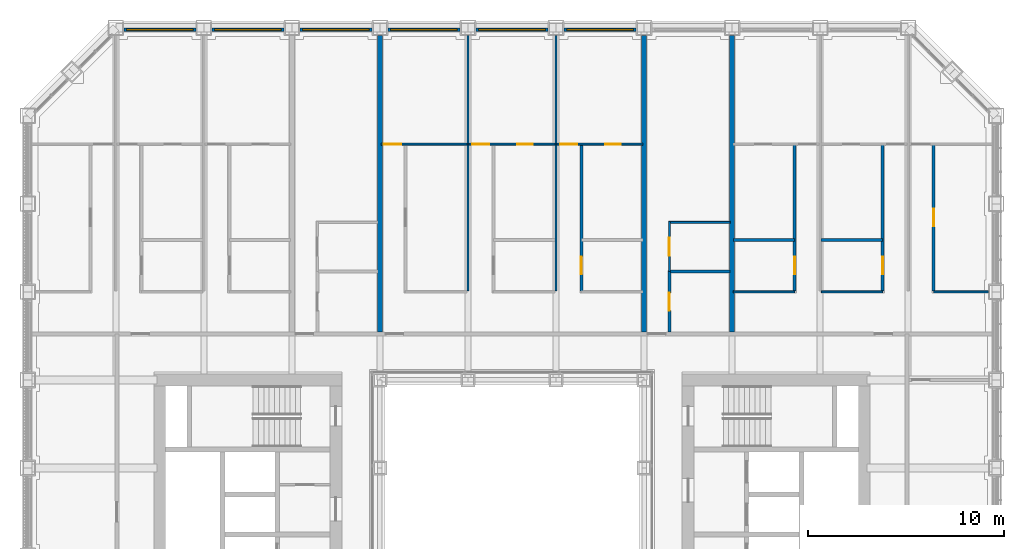
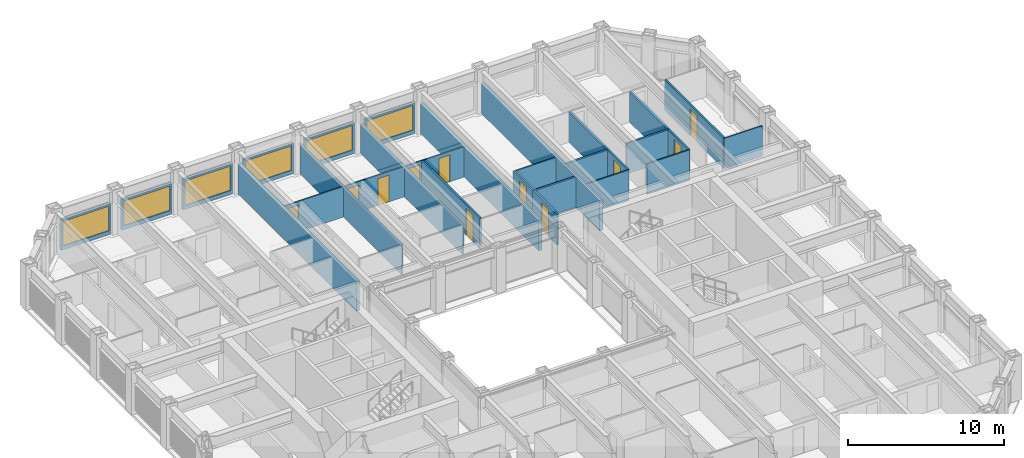
# One storey, part 14 of 20: 27 walls, 11 doors, 6 windows, 17 openings.
"""IFC4 building model written with IfcOpenShell, lengths in metres."""

from ifc_helpers import new_model, si_unit, direction, frame, frame_2d, origin, place, context, subcontext, project, spatial, rectangle, extrude, material, layer, layer_set, type_object, element, fill, save


model = new_model("IFC4")

# Units and contexts
model_context = context("Model", 3, precision=1e-05, world=origin(), true_north=direction((0.0, 1.0)))
body_context = subcontext(model_context, "Body", "Model", "MODEL_VIEW")
ifc_project = project(units=[si_unit("LENGTHUNIT", "METRE"), si_unit("AREAUNIT", "SQUARE_METRE"), si_unit("VOLUMEUNIT", "CUBIC_METRE"), si_unit("PLANEANGLEUNIT", "RADIAN"), si_unit("MASSUNIT", "GRAM", prefix="KILO")], contexts=[model_context])

# Site, building, storey
site_placement = place(None, origin())
site = spatial("IfcSite", under=ifc_project, at=site_placement, CompositionType="ELEMENT")
building_placement = place(site_placement, origin())
building = spatial("IfcBuilding", under=site, at=building_placement, Name="Msasa Ring Tower", CompositionType="ELEMENT")
storey_placement = place(building_placement, frame((0.0, 0.0, 65.0)))
storey = spatial("IfcBuildingStorey", under=building, at=storey_placement, Name="L16", CompositionType="ELEMENT", Elevation=65.0)

# Wall, opening, window
ifc_material_1 = material(Name="Terracotta rainscreen on blockwork", Category="masonry")
ifc_layer_1 = layer(ifc_material_1, 0.199951171875)
ifc_layer_set_1 = layer_set([ifc_layer_1], Name="FW1 TERRACOTTA-LINED INFILL BAY WALL 200")
wall_type_1 = type_object("IfcWallType", Name="FW1 TERRACOTTA-LINED INFILL BAY WALL 200", PredefinedType="SOLIDWALL", material=ifc_layer_set_1)
wall_1_placement = place(storey_placement, frame((-19.844970703125, 24.64990234375, 0.0), z_axis=(0.0, 0.0, 1.0), x_axis=(1.0, 0.0, 0.0)))
wall_1 = element("IfcWall", 1, at=wall_1_placement, inside=storey, type_object=wall_type_1, Name="Infill bay wall N L16 22", PredefinedType="SOLIDWALL", context=body_context, shape_type="SweptSolid", body=[
    extrude(rectangle(XDim=3.68994140625, YDim=0.199951171875, at=frame_2d((1.844970703125, 0.0))), origin(), (0.0, 0.0, 1.0), 2.37890625),
])
opening_1_placement = place(wall_1_placement, frame((0.14501953125, 0.0, 0.300048828125)))
opening_1 = element("IfcOpeningElement", 2, at=opening_1_placement, cuts=wall_1, Name="Opening WN1", PredefinedType="OPENING", context=body_context, shape_type="SweptSolid", body=[
    extrude(rectangle(XDim=3.39990234375, YDim=1.928955078125, at=frame_2d((1.699951171875, 0.96435546875))), frame((0.0, 0.10986328125, 0.0), z_axis=(0.0, -1.0, 0.0), x_axis=(1.0, 0.0, 0.0)), (0.0, 0.0, 1.0), 0.219970703125),
])
ifc_material_2 = material(Name="Aluminium frame with clear glass", Category="aluminium")
window_type = type_object("IfcWindowType", Name="WN1 RESIDENCE WINDOW 3400x1929", PartitioningType="SINGLE_PANEL", PredefinedType="WINDOW", material=ifc_material_2)
window_1_placement = place(opening_1_placement, origin())
window_1 = element("IfcWindow", 3, at=window_1_placement, inside=storey, type_object=window_type, Name="Window N L16 22", OverallHeight=1.928955078125, OverallWidth=3.39990234375, PartitioningType="SINGLE_PANEL", PredefinedType="WINDOW", context=body_context, shape_type="SweptSolid", body=[
    extrude(rectangle(XDim=3.39990234375, YDim=1.928955078125, at=frame_2d((1.699951171875, 0.96435546875))), frame((0.0, 0.030029296875, 0.0), z_axis=(0.0, -1.0, 0.0), x_axis=(1.0, 0.0, 0.0)), (0.0, 0.0, 1.0), 0.06005859375),
])
fill(opening_1, window_1)

wall_2_placement = place(storey_placement, frame((-15.344970703125, 24.64990234375, 0.0), z_axis=(0.0, 0.0, 1.0), x_axis=(1.0, 0.0, 0.0)))
wall_2 = element("IfcWall", 4, at=wall_2_placement, inside=storey, type_object=wall_type_1, Name="Infill bay wall N L16 23", PredefinedType="SOLIDWALL", context=body_context, shape_type="SweptSolid", body=[
    extrude(rectangle(XDim=3.68994140625, YDim=0.199951171875, at=frame_2d((1.844970703125, 0.0))), origin(), (0.0, 0.0, 1.0), 2.37890625),
])
opening_2_placement = place(wall_2_placement, frame((0.14501953125, 0.0, 0.300048828125)))
opening_2 = element("IfcOpeningElement", 5, at=opening_2_placement, cuts=wall_2, Name="Opening WN1", PredefinedType="OPENING", context=body_context, shape_type="SweptSolid", body=[
    extrude(rectangle(XDim=3.39990234375, YDim=1.928955078125, at=frame_2d((1.699951171875, 0.96435546875))), frame((0.0, 0.10986328125, 0.0), z_axis=(0.0, -1.0, 0.0), x_axis=(1.0, 0.0, 0.0)), (0.0, 0.0, 1.0), 0.219970703125),
])
window_2_placement = place(opening_2_placement, origin())
window_2 = element("IfcWindow", 6, at=window_2_placement, inside=storey, type_object=window_type, Name="Window N L16 23", OverallHeight=1.928955078125, OverallWidth=3.39990234375, PartitioningType="SINGLE_PANEL", PredefinedType="WINDOW", context=body_context, shape_type="SweptSolid", body=[
    extrude(rectangle(XDim=3.39990234375, YDim=1.928955078125, at=frame_2d((1.699951171875, 0.96435546875))), frame((0.0, 0.030029296875, 0.0), z_axis=(0.0, -1.0, 0.0), x_axis=(1.0, 0.0, 0.0)), (0.0, 0.0, 1.0), 0.06005859375),
])
fill(opening_2, window_2)

wall_3_placement = place(storey_placement, frame((-10.844970703125, 24.64990234375, 0.0), z_axis=(0.0, 0.0, 1.0), x_axis=(1.0, 0.0, 0.0)))
wall_3 = element("IfcWall", 7, at=wall_3_placement, inside=storey, type_object=wall_type_1, Name="Infill bay wall N L16 24", PredefinedType="SOLIDWALL", context=body_context, shape_type="SweptSolid", body=[
    extrude(rectangle(XDim=3.68994140625, YDim=0.199951171875, at=frame_2d((1.844970703125, 0.0))), origin(), (0.0, 0.0, 1.0), 2.37890625),
])
opening_3_placement = place(wall_3_placement, frame((0.14501953125, 0.0, 0.300048828125)))
opening_3 = element("IfcOpeningElement", 8, at=opening_3_placement, cuts=wall_3, Name="Opening WN1", PredefinedType="OPENING", context=body_context, shape_type="SweptSolid", body=[
    extrude(rectangle(XDim=3.39990234375, YDim=1.928955078125, at=frame_2d((1.699951171875, 0.96435546875))), frame((0.0, 0.10986328125, 0.0), z_axis=(0.0, -1.0, 0.0), x_axis=(1.0, 0.0, 0.0)), (0.0, 0.0, 1.0), 0.219970703125),
])
window_3_placement = place(opening_3_placement, origin())
window_3 = element("IfcWindow", 9, at=window_3_placement, inside=storey, type_object=window_type, Name="Window N L16 24", OverallHeight=1.928955078125, OverallWidth=3.39990234375, PartitioningType="SINGLE_PANEL", PredefinedType="WINDOW", context=body_context, shape_type="SweptSolid", body=[
    extrude(rectangle(XDim=3.39990234375, YDim=1.928955078125, at=frame_2d((1.699951171875, 0.96435546875))), frame((0.0, 0.030029296875, 0.0), z_axis=(0.0, -1.0, 0.0), x_axis=(1.0, 0.0, 0.0)), (0.0, 0.0, 1.0), 0.06005859375),
])
fill(opening_3, window_3)

wall_4_placement = place(storey_placement, frame((-6.344970703125, 24.64990234375, 0.0), z_axis=(0.0, 0.0, 1.0), x_axis=(1.0, 0.0, 0.0)))
wall_4 = element("IfcWall", 10, at=wall_4_placement, inside=storey, type_object=wall_type_1, Name="Infill bay wall N L16 25", PredefinedType="SOLIDWALL", context=body_context, shape_type="SweptSolid", body=[
    extrude(rectangle(XDim=3.68994140625, YDim=0.199951171875, at=frame_2d((1.844970703125, 0.0))), origin(), (0.0, 0.0, 1.0), 2.37890625),
])
opening_4_placement = place(wall_4_placement, frame((0.14501953125, 0.0, 0.300048828125)))
opening_4 = element("IfcOpeningElement", 11, at=opening_4_placement, cuts=wall_4, Name="Opening WN1", PredefinedType="OPENING", context=body_context, shape_type="SweptSolid", body=[
    extrude(rectangle(XDim=3.39990234375, YDim=1.928955078125, at=frame_2d((1.699951171875, 0.96435546875))), frame((0.0, 0.10986328125, 0.0), z_axis=(0.0, -1.0, 0.0), x_axis=(1.0, 0.0, 0.0)), (0.0, 0.0, 1.0), 0.219970703125),
])
window_4_placement = place(opening_4_placement, origin())
window_4 = element("IfcWindow", 12, at=window_4_placement, inside=storey, type_object=window_type, Name="Window N L16 25", OverallHeight=1.928955078125, OverallWidth=3.39990234375, PartitioningType="SINGLE_PANEL", PredefinedType="WINDOW", context=body_context, shape_type="SweptSolid", body=[
    extrude(rectangle(XDim=3.39990234375, YDim=1.928955078125, at=frame_2d((1.699951171875, 0.96435546875))), frame((0.0, 0.030029296875, 0.0), z_axis=(0.0, -1.0, 0.0), x_axis=(1.0, 0.0, 0.0)), (0.0, 0.0, 1.0), 0.06005859375),
])
fill(opening_4, window_4)

wall_5_placement = place(storey_placement, frame((-1.844970703125, 24.64990234375, 0.0), z_axis=(0.0, 0.0, 1.0), x_axis=(1.0, 0.0, 0.0)))
wall_5 = element("IfcWall", 13, at=wall_5_placement, inside=storey, type_object=wall_type_1, Name="Infill bay wall N L16 26", PredefinedType="SOLIDWALL", context=body_context, shape_type="SweptSolid", body=[
    extrude(rectangle(XDim=3.68994140625, YDim=0.199951171875, at=frame_2d((1.844970703125, 0.0))), origin(), (0.0, 0.0, 1.0), 2.37890625),
])
opening_5_placement = place(wall_5_placement, frame((0.14501953125, 0.0, 0.300048828125)))
opening_5 = element("IfcOpeningElement", 14, at=opening_5_placement, cuts=wall_5, Name="Opening WN1", PredefinedType="OPENING", context=body_context, shape_type="SweptSolid", body=[
    extrude(rectangle(XDim=3.39990234375, YDim=1.928955078125, at=frame_2d((1.699951171875, 0.96435546875))), frame((0.0, 0.10986328125, 0.0), z_axis=(0.0, -1.0, 0.0), x_axis=(1.0, 0.0, 0.0)), (0.0, 0.0, 1.0), 0.219970703125),
])
window_5_placement = place(opening_5_placement, origin())
window_5 = element("IfcWindow", 15, at=window_5_placement, inside=storey, type_object=window_type, Name="Window N L16 26", OverallHeight=1.928955078125, OverallWidth=3.39990234375, PartitioningType="SINGLE_PANEL", PredefinedType="WINDOW", context=body_context, shape_type="SweptSolid", body=[
    extrude(rectangle(XDim=3.39990234375, YDim=1.928955078125, at=frame_2d((1.699951171875, 0.96435546875))), frame((0.0, 0.030029296875, 0.0), z_axis=(0.0, -1.0, 0.0), x_axis=(1.0, 0.0, 0.0)), (0.0, 0.0, 1.0), 0.06005859375),
])
fill(opening_5, window_5)

wall_6_placement = place(storey_placement, frame((2.655029296875, 24.64990234375, 0.0), z_axis=(0.0, 0.0, 1.0), x_axis=(1.0, 0.0, 0.0)))
wall_6 = element("IfcWall", 16, at=wall_6_placement, inside=storey, type_object=wall_type_1, Name="Infill bay wall N L16 27", PredefinedType="SOLIDWALL", context=body_context, shape_type="SweptSolid", body=[
    extrude(rectangle(XDim=3.68994140625, YDim=0.199951171875, at=frame_2d((1.844970703125, 0.0))), origin(), (0.0, 0.0, 1.0), 2.37890625),
])
opening_6_placement = place(wall_6_placement, frame((0.14501953125, 0.0, 0.300048828125)))
opening_6 = element("IfcOpeningElement", 17, at=opening_6_placement, cuts=wall_6, Name="Opening WN1", PredefinedType="OPENING", context=body_context, shape_type="SweptSolid", body=[
    extrude(rectangle(XDim=3.39990234375, YDim=1.928955078125, at=frame_2d((1.699951171875, 0.96435546875))), frame((0.0, 0.10986328125, 0.0), z_axis=(0.0, -1.0, 0.0), x_axis=(1.0, 0.0, 0.0)), (0.0, 0.0, 1.0), 0.219970703125),
])
window_6_placement = place(opening_6_placement, origin())
window_6 = element("IfcWindow", 18, at=window_6_placement, inside=storey, type_object=window_type, Name="Window N L16 27", OverallHeight=1.928955078125, OverallWidth=3.39990234375, PartitioningType="SINGLE_PANEL", PredefinedType="WINDOW", context=body_context, shape_type="SweptSolid", body=[
    extrude(rectangle(XDim=3.39990234375, YDim=1.928955078125, at=frame_2d((1.699951171875, 0.96435546875))), frame((0.0, 0.030029296875, 0.0), z_axis=(0.0, -1.0, 0.0), x_axis=(1.0, 0.0, 0.0)), (0.0, 0.0, 1.0), 0.06005859375),
])
fill(opening_6, window_6)

# Wall, opening, door
ifc_material_3 = material(Name="Gypsum board on steel studs", Category="steel")
ifc_layer_2 = layer(ifc_material_3, 0.10009765625)
ifc_layer_set_2 = layer_set([ifc_layer_2], Name="PT2 STUD PARTITION 100")
wall_type_2 = type_object("IfcWallType", Name="PT2 STUD PARTITION 100", PredefinedType="PARTITIONING", material=ifc_layer_set_2)
wall_7_placement = place(storey_placement, frame((-6.68994140625, 18.800048828125, 0.0), z_axis=(0.0, 0.0, 1.0), x_axis=(1.0, 0.0, 0.0)))
wall_7 = element("IfcWall", 19, at=wall_7_placement, inside=storey, type_object=wall_type_2, Name="Partition L16-UN02SY0", PredefinedType="PARTITIONING", context=body_context, shape_type="SweptSolid", body=[
    extrude(rectangle(XDim=4.389892578125, YDim=0.10009765625, at=frame_2d((2.19482421875, 0.0))), origin(), (0.0, 0.0, 1.0), 2.373291015625),
])
opening_7_placement = place(wall_7_placement, frame((0.139892578125, 0.0, 0.0)))
opening_7 = element("IfcOpeningElement", 20, at=opening_7_placement, cuts=wall_7, Name="Opening RD-006", PredefinedType="OPENING", context=body_context, shape_type="SweptSolid", body=[
    extrude(rectangle(XDim=0.89990234375, YDim=2.10009765625, at=frame_2d((0.449951171875, 1.050048828125))), frame((0.0, 0.06005859375, 0.0), z_axis=(0.0, -1.0, 0.0), x_axis=(1.0, 0.0, 0.0)), (0.0, 0.0, 1.0), 0.1201171875),
])
ifc_material_4 = material(Name="Timber door leaf in a steel frame", Category="steel")
door_type_1 = type_object("IfcDoorType", Name="D22 INTERNAL HALL DOOR 900x2100", OperationType="SINGLE_SWING_LEFT", PredefinedType="DOOR", material=ifc_material_4)
door_1_placement = place(opening_7_placement, origin())
door_1 = element("IfcDoor", 21, at=door_1_placement, inside=storey, type_object=door_type_1, Name="Door L16-UN02L", OperationType="SINGLE_SWING_LEFT", OverallHeight=2.10009765625, OverallWidth=0.89990234375, PredefinedType="DOOR", context=body_context, shape_type="SweptSolid", body=[
    extrude(rectangle(XDim=0.89990234375, YDim=2.10009765625, at=frame_2d((0.449951171875, 1.050048828125))), frame((0.0, 0.02490234375, 0.0), z_axis=(0.0, -1.0, 0.0), x_axis=(1.0, 0.0, 0.0)), (0.0, 0.0, 1.0), 0.050048828125),
])
fill(opening_7, door_1)

# Wall
wall_8_placement = place(storey_placement, frame((-2.25, 11.300048828125, 0.0), z_axis=(0.0, 0.0, 1.0), x_axis=(0.0, 1.0, 0.0)))
element("IfcWall", 22, at=wall_8_placement, inside=storey, type_object=wall_type_2, Name="Partition L16-UN02P1", PredefinedType="PARTITIONING", context=body_context, shape_type="SweptSolid", body=[
    extrude(rectangle(XDim=13.050048828125, YDim=0.10009765625, at=frame_2d((6.52490234375, 0.0))), origin(), (0.0, 0.0, 1.0), 2.373291015625),
])

# Wall, openings, doors
wall_9_placement = place(storey_placement, frame((-2.199951171875, 18.800048828125, 0.0), z_axis=(0.0, 0.0, 1.0), x_axis=(1.0, 0.0, 0.0)))
wall_9 = element("IfcWall", 23, at=wall_9_placement, inside=storey, type_object=wall_type_2, Name="Partition L16-UN02SY1", PredefinedType="PARTITIONING", context=body_context, shape_type="SweptSolid", body=[
    extrude(rectangle(XDim=4.39990234375, YDim=0.10009765625, at=frame_2d((2.199951171875, 0.0))), origin(), (0.0, 0.0, 1.0), 2.373291015625),
])
opening_8_placement = place(wall_9_placement, frame((0.175048828125, 0.0, 0.0)))
opening_8 = element("IfcOpeningElement", 24, at=opening_8_placement, cuts=wall_9, Name="Opening RD-007", PredefinedType="OPENING", context=body_context, shape_type="SweptSolid", body=[
    extrude(rectangle(XDim=0.85009765625, YDim=2.10009765625, at=frame_2d((0.425048828125, 1.050048828125))), frame((0.0, 0.06005859375, 0.0), z_axis=(0.0, -1.0, 0.0), x_axis=(1.0, 0.0, 0.0)), (0.0, 0.0, 1.0), 0.1201171875),
])
opening_9_placement = place(wall_9_placement, frame((2.4599609375, 0.0, 0.0)))
opening_9 = element("IfcOpeningElement", 25, at=opening_9_placement, cuts=wall_9, Name="Opening RD-008", PredefinedType="OPENING", context=body_context, shape_type="SweptSolid", body=[
    extrude(rectangle(XDim=0.800048828125, YDim=2.10009765625, at=frame_2d((0.39990234375, 1.050048828125))), frame((0.0, 0.06005859375, 0.0), z_axis=(0.0, -1.0, 0.0), x_axis=(1.0, 0.0, 0.0)), (0.0, 0.0, 1.0), 0.1201171875),
])
ifc_material_5 = material(Name="Timber door leaf in a steel frame", Category="steel")
door_type_2 = type_object("IfcDoorType", Name="D14 BEDROOM DOOR 850x2100", OperationType="SINGLE_SWING_LEFT", PredefinedType="DOOR", material=ifc_material_5)
door_2_placement = place(opening_8_placement, origin())
door_2 = element("IfcDoor", 26, at=door_2_placement, inside=storey, type_object=door_type_2, Name="Door L16-UN02R1", OperationType="SINGLE_SWING_LEFT", OverallHeight=2.10009765625, OverallWidth=0.85009765625, PredefinedType="DOOR", context=body_context, shape_type="SweptSolid", body=[
    extrude(rectangle(XDim=0.85009765625, YDim=2.10009765625, at=frame_2d((0.425048828125, 1.050048828125))), frame((0.0, 0.02490234375, 0.0), z_axis=(0.0, -1.0, 0.0), x_axis=(1.0, 0.0, 0.0)), (0.0, 0.0, 1.0), 0.050048828125),
])
fill(opening_8, door_2)
ifc_material_6 = material(Name="Timber door leaf in a steel frame", Category="steel")
door_type_3 = type_object("IfcDoorType", Name="D60 DRESSING ROOM DOOR 800x2100", OperationType="SINGLE_SWING_LEFT", PredefinedType="DOOR", material=ifc_material_6)
door_3_placement = place(opening_9_placement, origin())
door_3 = element("IfcDoor", 27, at=door_3_placement, inside=storey, type_object=door_type_3, Name="Door L16-UN02W1", OperationType="SINGLE_SWING_RIGHT", OverallHeight=2.10009765625, OverallWidth=0.800048828125, PredefinedType="DOOR", context=body_context, shape_type="SweptSolid", body=[
    extrude(rectangle(XDim=0.800048828125, YDim=2.10009765625, at=frame_2d((0.39990234375, 1.050048828125))), frame((0.0, 0.02490234375, 0.0), z_axis=(0.0, -1.0, 0.0), x_axis=(1.0, 0.0, 0.0)), (0.0, 0.0, 1.0), 0.050048828125),
])
fill(opening_9, door_3)

# Wall
wall_10_placement = place(storey_placement, frame((2.25, 11.300048828125, 0.0), z_axis=(0.0, 0.0, 1.0), x_axis=(0.0, 1.0, 0.0)))
element("IfcWall", 28, at=wall_10_placement, inside=storey, type_object=wall_type_2, Name="Partition L16-UN02P2", PredefinedType="PARTITIONING", context=body_context, shape_type="SweptSolid", body=[
    extrude(rectangle(XDim=13.050048828125, YDim=0.10009765625, at=frame_2d((6.52490234375, 0.0))), origin(), (0.0, 0.0, 1.0), 2.373291015625),
])

# Wall, openings, doors
wall_11_placement = place(storey_placement, frame((2.300048828125, 18.800048828125, 0.0), z_axis=(0.0, 0.0, 1.0), x_axis=(1.0, 0.0, 0.0)))
wall_11 = element("IfcWall", 29, at=wall_11_placement, inside=storey, type_object=wall_type_2, Name="Partition L16-UN02SY2", PredefinedType="PARTITIONING", context=body_context, shape_type="SweptSolid", body=[
    extrude(rectangle(XDim=4.389892578125, YDim=0.10009765625, at=frame_2d((2.19482421875, 0.0))), origin(), (0.0, 0.0, 1.0), 2.373291015625),
])
opening_10_placement = place(wall_11_placement, frame((0.175048828125, 0.0, 0.0)))
opening_10 = element("IfcOpeningElement", 30, at=opening_10_placement, cuts=wall_11, Name="Opening RD-009", PredefinedType="OPENING", context=body_context, shape_type="SweptSolid", body=[
    extrude(rectangle(XDim=0.85009765625, YDim=2.10009765625, at=frame_2d((0.425048828125, 1.050048828125))), frame((0.0, 0.06005859375, 0.0), z_axis=(0.0, -1.0, 0.0), x_axis=(1.0, 0.0, 0.0)), (0.0, 0.0, 1.0), 0.1201171875),
])
opening_11_placement = place(wall_11_placement, frame((2.4599609375, 0.0, 0.0)))
opening_11 = element("IfcOpeningElement", 31, at=opening_11_placement, cuts=wall_11, Name="Opening RD-010", PredefinedType="OPENING", context=body_context, shape_type="SweptSolid", body=[
    extrude(rectangle(XDim=0.800048828125, YDim=2.10009765625, at=frame_2d((0.39990234375, 1.050048828125))), frame((0.0, 0.06005859375, 0.0), z_axis=(0.0, -1.0, 0.0), x_axis=(1.0, 0.0, 0.0)), (0.0, 0.0, 1.0), 0.1201171875),
])
door_4_placement = place(opening_10_placement, origin())
door_4 = element("IfcDoor", 32, at=door_4_placement, inside=storey, type_object=door_type_2, Name="Door L16-UN02R2", OperationType="SINGLE_SWING_LEFT", OverallHeight=2.10009765625, OverallWidth=0.85009765625, PredefinedType="DOOR", context=body_context, shape_type="SweptSolid", body=[
    extrude(rectangle(XDim=0.85009765625, YDim=2.10009765625, at=frame_2d((0.425048828125, 1.050048828125))), frame((0.0, 0.02490234375, 0.0), z_axis=(0.0, -1.0, 0.0), x_axis=(1.0, 0.0, 0.0)), (0.0, 0.0, 1.0), 0.050048828125),
])
fill(opening_10, door_4)
door_5_placement = place(opening_11_placement, origin())
door_5 = element("IfcDoor", 33, at=door_5_placement, inside=storey, type_object=door_type_3, Name="Door L16-UN02W2", OperationType="SINGLE_SWING_RIGHT", OverallHeight=2.10009765625, OverallWidth=0.800048828125, PredefinedType="DOOR", context=body_context, shape_type="SweptSolid", body=[
    extrude(rectangle(XDim=0.800048828125, YDim=2.10009765625, at=frame_2d((0.39990234375, 1.050048828125))), frame((0.0, 0.02490234375, 0.0), z_axis=(0.0, -1.0, 0.0), x_axis=(1.0, 0.0, 0.0)), (0.0, 0.0, 1.0), 0.050048828125),
])
fill(opening_11, door_5)

# Wall
wall_12_placement = place(storey_placement, frame((8.10009765625, 14.800048828125, 0.0), z_axis=(0.0, 0.0, 1.0), x_axis=(1.0, 0.0, 0.0)))
element("IfcWall", 34, at=wall_12_placement, inside=storey, type_object=wall_type_2, Name="Partition L16-UN03KY", PredefinedType="PARTITIONING", context=body_context, shape_type="SweptSolid", body=[
    extrude(rectangle(XDim=3.0498046875, YDim=0.10009765625, at=frame_2d((1.52490234375, 0.0))), origin(), (0.0, 0.0, 1.0), 2.373291015625),
])

# Wall, opening, door
wall_13_placement = place(storey_placement, frame((8.050048828125, 12.300048828125, 0.0), z_axis=(0.0, 0.0, 1.0), x_axis=(0.0, 1.0, 0.0)))
wall_13 = element("IfcWall", 35, at=wall_13_placement, inside=storey, type_object=wall_type_2, Name="Partition L16-UN03KX", PredefinedType="PARTITIONING", context=body_context, shape_type="SweptSolid", body=[
    extrude(rectangle(XDim=2.550048828125, YDim=0.10009765625, at=frame_2d((1.27490234375, 0.0))), origin(), (0.0, 0.0, 1.0), 2.373291015625),
])
opening_12_placement = place(wall_13_placement, frame((0.81005859375, 0.0, 0.0)))
opening_12 = element("IfcOpeningElement", 36, at=opening_12_placement, cuts=wall_13, Name="Opening RD-020", PredefinedType="OPENING", context=body_context, shape_type="SweptSolid", body=[
    extrude(rectangle(XDim=0.89990234375, YDim=2.10009765625, at=frame_2d((0.449951171875, 1.050048828125))), frame((0.0, 0.06005859375, 0.0), z_axis=(0.0, -1.0, 0.0), x_axis=(1.0, 0.0, 0.0)), (0.0, 0.0, 1.0), 0.1201171875),
])
door_6_placement = place(opening_12_placement, origin())
door_6 = element("IfcDoor", 37, at=door_6_placement, inside=storey, type_object=door_type_1, Name="Door L16-UN03K", OperationType="SINGLE_SWING_LEFT", OverallHeight=2.10009765625, OverallWidth=0.89990234375, PredefinedType="DOOR", context=body_context, shape_type="SweptSolid", body=[
    extrude(rectangle(XDim=0.89990234375, YDim=2.10009765625, at=frame_2d((0.449951171875, 1.050048828125))), frame((0.0, 0.02490234375, 0.0), z_axis=(0.0, -1.0, 0.0), x_axis=(1.0, 0.0, 0.0)), (0.0, 0.0, 1.0), 0.050048828125),
])
fill(opening_12, door_6)

# Walls
wall_14_placement = place(storey_placement, frame((21.550048828125, 11.25, 0.0), z_axis=(0.0, 0.0, 1.0), x_axis=(1.0, 0.0, 0.0)))
element("IfcWall", 38, at=wall_14_placement, inside=storey, type_object=wall_type_2, Name="Partition L16-UN04HY0", PredefinedType="PARTITIONING", context=body_context, shape_type="SweptSolid", body=[
    extrude(rectangle(XDim=2.800048828125, YDim=0.10009765625, at=frame_2d((1.39990234375, 0.0))), origin(), (0.0, 0.0, 1.0), 2.373291015625),
])
for number, where, z_axis, x_axis, name in (
    (39, (15.81005859375, 11.25, 0.0), (0.0, 0.0, 1.0), (1.0, 0.0, 0.0), "Partition L16-UN04HY1"),
    (40, (11.31005859375, 11.25, 0.0), (0.0, 0.0, 1.0), (1.0, 0.0, 0.0), "Partition L16-UN04HY2"),
):
    element("IfcWall", number, at=place(storey_placement, frame(where, z_axis=z_axis, x_axis=x_axis)), inside=storey, type_object=wall_type_2, Name=name, PredefinedType="PARTITIONING", context=body_context, shape_type="SweptSolid", body=[
        extrude(rectangle(XDim=3.139892578125, YDim=0.10009765625, at=frame_2d((1.56982421875, 0.0))), origin(), (0.0, 0.0, 1.0), 2.373291015625),
    ])
ifc_material_7 = material(Name="Dense concrete blockwork, plastered both faces", Category="masonry")
ifc_layer_3 = layer(ifc_material_7, 0.25)
ifc_layer_set_3 = layer_set([ifc_layer_3], Name="PT3 APARTMENT SEPARATING WALL 250")
wall_type_3 = type_object("IfcWallType", Name="PT3 APARTMENT SEPARATING WALL 250", PredefinedType="PARTITIONING", material=ifc_layer_set_3)
for number, where, z_axis, x_axis, name in (
    (41, (-6.75, 9.199951171875, 0.0), (0.0, 0.0, 1.0), (0.0, 1.0, 0.0), "Party wall L16-PWN-6.75"),
    (42, (6.75, 9.199951171875, 0.0), (0.0, 0.0, 1.0), (0.0, 1.0, 0.0), "Party wall L16-PWN+6.75"),
    (43, (11.25, 9.199951171875, 0.0), (0.0, 0.0, 1.0), (0.0, 1.0, 0.0), "Party wall L16-PWN+11.25"),
):
    element("IfcWall", number, at=place(storey_placement, frame(where, z_axis=z_axis, x_axis=x_axis)), inside=storey, type_object=wall_type_3, Name=name, PredefinedType="PARTITIONING", context=body_context, shape_type="SweptSolid", body=[
        extrude(rectangle(XDim=15.150146484375, YDim=0.25, at=frame_2d((7.5751953125, 0.0))), origin(), (0.0, 0.0, 1.0), 2.373291015625),
    ])

# Wall, opening, door
ifc_material_8 = material(Name="Moisture-resistant board on steel studs with a concealed cistern and pipe void, tiled", Category="steel")
ifc_layer_4 = layer(ifc_material_8, 0.14990234375)
ifc_layer_set_4 = layer_set([ifc_layer_4], Name="PT4 BATHROOM WET WALL 150")
wall_type_4 = type_object("IfcWallType", Name="PT4 BATHROOM WET WALL 150", PredefinedType="PARTITIONING", material=ifc_layer_set_4)
wall_15_placement = place(storey_placement, frame((3.550048828125, 11.300048828125, 0.0), z_axis=(0.0, 0.0, 1.0), x_axis=(0.0, 1.0, 0.0)))
wall_15 = element("IfcWall", 44, at=wall_15_placement, inside=storey, type_object=wall_type_4, Name="Partition L16-UN02SX2", PredefinedType="PARTITIONING", context=body_context, shape_type="SweptSolid", body=[
    extrude(rectangle(XDim=7.5, YDim=0.14990234375, at=frame_2d((3.75, 0.0))), origin(), (0.0, 0.0, 1.0), 2.373291015625),
])
opening_13_placement = place(wall_15_placement, frame((0.85009765625, 0.0, 0.0)))
opening_13 = element("IfcOpeningElement", 45, at=opening_13_placement, cuts=wall_15, Name="Opening RD-024", PredefinedType="OPENING", context=body_context, shape_type="SweptSolid", body=[
    extrude(rectangle(XDim=0.89990234375, YDim=2.10009765625, at=frame_2d((0.449951171875, 1.050048828125))), frame((0.0, 0.0849609375, 0.0), z_axis=(0.0, -1.0, 0.0), x_axis=(1.0, 0.0, 0.0)), (0.0, 0.0, 1.0), 0.169921875),
])
ifc_material_9 = material(Name="Timber door leaf in a steel frame", Category="steel")
door_type_4 = type_object("IfcDoorType", Name="D3 BATHROOM DOOR 900x2100", OperationType="SINGLE_SWING_LEFT", PredefinedType="DOOR", material=ifc_material_9)
door_7_placement = place(opening_13_placement, origin())
door_7 = element("IfcDoor", 46, at=door_7_placement, inside=storey, type_object=door_type_4, Name="Door L16-UN02B2", OperationType="SINGLE_SWING_LEFT", OverallHeight=2.10009765625, OverallWidth=0.89990234375, PredefinedType="DOOR", context=body_context, shape_type="SweptSolid", body=[
    extrude(rectangle(XDim=0.89990234375, YDim=2.10009765625, at=frame_2d((0.449951171875, 1.050048828125))), frame((0.0, 0.02490234375, 0.0), z_axis=(0.0, -1.0, 0.0), x_axis=(1.0, 0.0, 0.0)), (0.0, 0.0, 1.0), 0.050048828125),
])
fill(opening_13, door_7)

wall_16_placement = place(storey_placement, frame((8.050048828125, 9.199951171875, 0.0), z_axis=(0.0, 0.0, 1.0), x_axis=(0.0, 1.0, 0.0)))
wall_16 = element("IfcWall", 47, at=wall_16_placement, inside=storey, type_object=wall_type_4, Name="Partition L16-UN03BX", PredefinedType="PARTITIONING", context=body_context, shape_type="SweptSolid", body=[
    extrude(rectangle(XDim=3.150146484375, YDim=0.14990234375, at=frame_2d((1.5751953125, 0.0))), origin(), (0.0, 0.0, 1.0), 2.373291015625),
])
opening_14_placement = place(wall_16_placement, frame((1.10009765625, 0.0, 0.0)))
opening_14 = element("IfcOpeningElement", 48, at=opening_14_placement, cuts=wall_16, Name="Opening RD-028", PredefinedType="OPENING", context=body_context, shape_type="SweptSolid", body=[
    extrude(rectangle(XDim=0.89990234375, YDim=2.10009765625, at=frame_2d((0.449951171875, 1.050048828125))), frame((0.0, 0.0849609375, 0.0), z_axis=(0.0, -1.0, 0.0), x_axis=(1.0, 0.0, 0.0)), (0.0, 0.0, 1.0), 0.169921875),
])
door_8_placement = place(opening_14_placement, origin())
door_8 = element("IfcDoor", 49, at=door_8_placement, inside=storey, type_object=door_type_4, Name="Door L16-UN03B", OperationType="SINGLE_SWING_LEFT", OverallHeight=2.10009765625, OverallWidth=0.89990234375, PredefinedType="DOOR", context=body_context, shape_type="SweptSolid", body=[
    extrude(rectangle(XDim=0.89990234375, YDim=2.10009765625, at=frame_2d((0.449951171875, 1.050048828125))), frame((0.0, 0.02490234375, 0.0), z_axis=(0.0, -1.0, 0.0), x_axis=(1.0, 0.0, 0.0)), (0.0, 0.0, 1.0), 0.050048828125),
])
fill(opening_14, door_8)

# Wall
wall_17_placement = place(storey_placement, frame((8.10009765625, 12.300048828125, 0.0), z_axis=(0.0, 0.0, 1.0), x_axis=(1.0, 0.0, 0.0)))
element("IfcWall", 50, at=wall_17_placement, inside=storey, type_object=wall_type_4, Name="Partition L16-UN03BY", PredefinedType="PARTITIONING", context=body_context, shape_type="SweptSolid", body=[
    extrude(rectangle(XDim=3.0498046875, YDim=0.14990234375, at=frame_2d((1.52490234375, 0.0))), origin(), (0.0, 0.0, 1.0), 2.373291015625),
])

# Wall, opening, door
wall_18_placement = place(storey_placement, frame((21.550048828125, 11.300048828125, 0.0), z_axis=(0.0, 0.0, 1.0), x_axis=(0.0, 1.0, 0.0)))
wall_18 = element("IfcWall", 51, at=wall_18_placement, inside=storey, type_object=wall_type_4, Name="Partition L16-UN04SX0", PredefinedType="PARTITIONING", context=body_context, shape_type="SweptSolid", body=[
    extrude(rectangle(XDim=7.5, YDim=0.14990234375, at=frame_2d((3.75, 0.0))), origin(), (0.0, 0.0, 1.0), 2.373291015625),
])
opening_15_placement = place(wall_18_placement, frame((3.300048828125, 0.0, 0.0)))
opening_15 = element("IfcOpeningElement", 52, at=opening_15_placement, cuts=wall_18, Name="Opening RD-018", PredefinedType="OPENING", context=body_context, shape_type="SweptSolid", body=[
    extrude(rectangle(XDim=0.89990234375, YDim=2.10009765625, at=frame_2d((0.449951171875, 1.050048828125))), frame((0.0, 0.0849609375, 0.0), z_axis=(0.0, -1.0, 0.0), x_axis=(1.0, 0.0, 0.0)), (0.0, 0.0, 1.0), 0.169921875),
])
door_9_placement = place(opening_15_placement, origin())
door_9 = element("IfcDoor", 53, at=door_9_placement, inside=storey, type_object=door_type_1, Name="Door L16-UN04K", OperationType="SINGLE_SWING_LEFT", OverallHeight=2.10009765625, OverallWidth=0.89990234375, PredefinedType="DOOR", context=body_context, shape_type="SweptSolid", body=[
    extrude(rectangle(XDim=0.89990234375, YDim=2.10009765625, at=frame_2d((0.449951171875, 1.050048828125))), frame((0.0, 0.02490234375, 0.0), z_axis=(0.0, -1.0, 0.0), x_axis=(1.0, 0.0, 0.0)), (0.0, 0.0, 1.0), 0.050048828125),
])
fill(opening_15, door_9)

wall_19_placement = place(storey_placement, frame((18.949951171875, 11.300048828125, 0.0), z_axis=(0.0, 0.0, 1.0), x_axis=(0.0, 1.0, 0.0)))
wall_19 = element("IfcWall", 54, at=wall_19_placement, inside=storey, type_object=wall_type_4, Name="Partition L16-UN04SX1", PredefinedType="PARTITIONING", context=body_context, shape_type="SweptSolid", body=[
    extrude(rectangle(XDim=7.5, YDim=0.14990234375, at=frame_2d((3.75, 0.0))), origin(), (0.0, 0.0, 1.0), 2.373291015625),
])
opening_16_placement = place(wall_19_placement, frame((0.85009765625, 0.0, 0.0)))
opening_16 = element("IfcOpeningElement", 55, at=opening_16_placement, cuts=wall_19, Name="Opening RD-026", PredefinedType="OPENING", context=body_context, shape_type="SweptSolid", body=[
    extrude(rectangle(XDim=0.89990234375, YDim=2.10009765625, at=frame_2d((0.449951171875, 1.050048828125))), frame((0.0, 0.0849609375, 0.0), z_axis=(0.0, -1.0, 0.0), x_axis=(1.0, 0.0, 0.0)), (0.0, 0.0, 1.0), 0.169921875),
])
door_10_placement = place(opening_16_placement, origin())
door_10 = element("IfcDoor", 56, at=door_10_placement, inside=storey, type_object=door_type_4, Name="Door L16-UN04B1", OperationType="SINGLE_SWING_LEFT", OverallHeight=2.10009765625, OverallWidth=0.89990234375, PredefinedType="DOOR", context=body_context, shape_type="SweptSolid", body=[
    extrude(rectangle(XDim=0.89990234375, YDim=2.10009765625, at=frame_2d((0.449951171875, 1.050048828125))), frame((0.0, 0.02490234375, 0.0), z_axis=(0.0, -1.0, 0.0), x_axis=(1.0, 0.0, 0.0)), (0.0, 0.0, 1.0), 0.050048828125),
])
fill(opening_16, door_10)

# Wall
wall_20_placement = place(storey_placement, frame((15.800048828125, 13.89990234375, 0.0), z_axis=(0.0, 0.0, 1.0), x_axis=(1.0, 0.0, 0.0)))
element("IfcWall", 57, at=wall_20_placement, inside=storey, type_object=wall_type_4, Name="Partition L16-UN04SB1", PredefinedType="PARTITIONING", context=body_context, shape_type="SweptSolid", body=[
    extrude(rectangle(XDim=3.14990234375, YDim=0.14990234375, at=frame_2d((1.574951171875, 0.0))), origin(), (0.0, 0.0, 1.0), 2.373291015625),
])

# Wall, opening, door
wall_21_placement = place(storey_placement, frame((14.449951171875, 11.300048828125, 0.0), z_axis=(0.0, 0.0, 1.0), x_axis=(0.0, 1.0, 0.0)))
wall_21 = element("IfcWall", 58, at=wall_21_placement, inside=storey, type_object=wall_type_4, Name="Partition L16-UN04SX2", PredefinedType="PARTITIONING", context=body_context, shape_type="SweptSolid", body=[
    extrude(rectangle(XDim=7.5, YDim=0.14990234375, at=frame_2d((3.75, 0.0))), origin(), (0.0, 0.0, 1.0), 2.373291015625),
])
opening_17_placement = place(wall_21_placement, frame((0.85009765625, 0.0, 0.0)))
opening_17 = element("IfcOpeningElement", 59, at=opening_17_placement, cuts=wall_21, Name="Opening RD-025", PredefinedType="OPENING", context=body_context, shape_type="SweptSolid", body=[
    extrude(rectangle(XDim=0.89990234375, YDim=2.10009765625, at=frame_2d((0.449951171875, 1.050048828125))), frame((0.0, 0.0849609375, 0.0), z_axis=(0.0, -1.0, 0.0), x_axis=(1.0, 0.0, 0.0)), (0.0, 0.0, 1.0), 0.169921875),
])
door_11_placement = place(opening_17_placement, origin())
door_11 = element("IfcDoor", 60, at=door_11_placement, inside=storey, type_object=door_type_4, Name="Door L16-UN04B2", OperationType="SINGLE_SWING_LEFT", OverallHeight=2.10009765625, OverallWidth=0.89990234375, PredefinedType="DOOR", context=body_context, shape_type="SweptSolid", body=[
    extrude(rectangle(XDim=0.89990234375, YDim=2.10009765625, at=frame_2d((0.449951171875, 1.050048828125))), frame((0.0, 0.02490234375, 0.0), z_axis=(0.0, -1.0, 0.0), x_axis=(1.0, 0.0, 0.0)), (0.0, 0.0, 1.0), 0.050048828125),
])
fill(opening_17, door_11)

# Wall
wall_22_placement = place(storey_placement, frame((11.31005859375, 13.89990234375, 0.0), z_axis=(0.0, 0.0, 1.0), x_axis=(1.0, 0.0, 0.0)))
element("IfcWall", 61, at=wall_22_placement, inside=storey, type_object=wall_type_4, Name="Partition L16-UN04SB2", PredefinedType="PARTITIONING", context=body_context, shape_type="SweptSolid", body=[
    extrude(rectangle(XDim=3.139892578125, YDim=0.14990234375, at=frame_2d((1.56982421875, 0.0))), origin(), (0.0, 0.0, 1.0), 2.373291015625),
])

save(model, "model.ifc")
